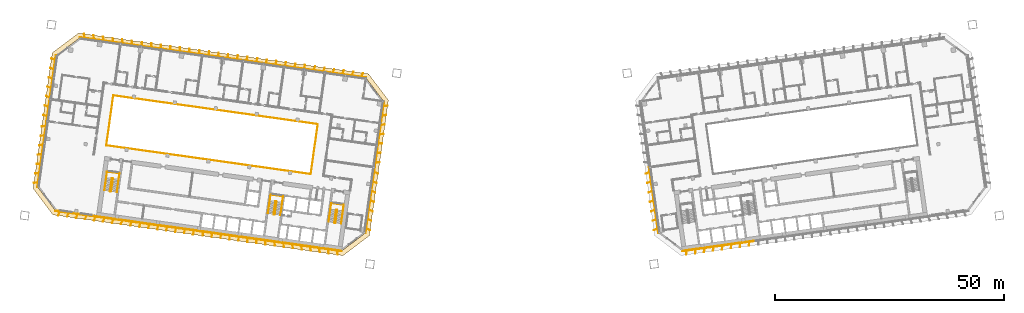
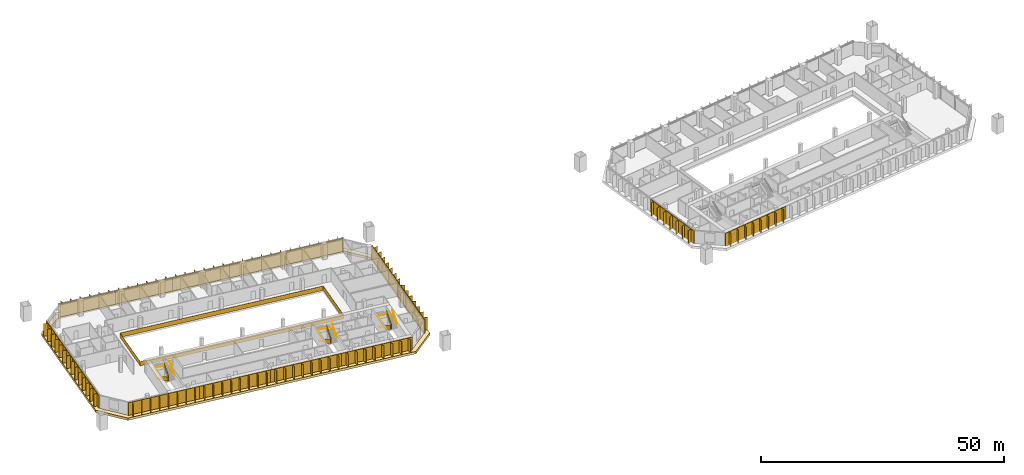
# One storey, part 23 of 24: 15 shading devices, 7 railings, 1 covering.
"""IFC4 building model written with IfcOpenShell, lengths in metres."""

from ifc_helpers import new_model, si_unit, direction, frame, origin, origin_2d, place, context, subcontext, project, spatial, polyline, rectangle, outline, extrude, material, layer, layer_set, type_object, element, save


model = new_model("IFC4")

# Units and contexts
model_context = context("Model", 3, precision=1e-05, world=origin(), true_north=direction((0.0, 1.0)))
body_context = subcontext(model_context, "Body", "Model", "MODEL_VIEW")
ifc_project = project(units=[si_unit("LENGTHUNIT", "METRE"), si_unit("AREAUNIT", "SQUARE_METRE"), si_unit("VOLUMEUNIT", "CUBIC_METRE"), si_unit("PLANEANGLEUNIT", "RADIAN"), si_unit("MASSUNIT", "GRAM", prefix="KILO")], contexts=[model_context])

# Site, building, storey
site_placement = place(None, origin())
site = spatial("IfcSite", under=ifc_project, at=site_placement, CompositionType="ELEMENT")
building_placement = place(site_placement, origin())
building = spatial("IfcBuilding", under=site, at=building_placement, Name="Mirante Cascada Hotel Towers", CompositionType="ELEMENT")
storey_placement = place(building_placement, frame((0.0, 0.0, 88.9)))
storey = spatial("IfcBuildingStorey", under=building, at=storey_placement, Name="L19", CompositionType="ELEMENT", Elevation=88.9)

# Railing
ifc_material_1 = material(Name="Toughened glass with stainless steel handrail", Category="steel")
railing_type_1 = type_object("IfcRailingType", Name="Atrium guard 1100 glass balustrade", PredefinedType="GUARDRAIL", material=ifc_material_1)
railing_1_placement = place(storey_placement, frame((-43.8418, -3.4881, 0.0)))
element("IfcRailing", 1, at=railing_1_placement, inside=storey, type_object=railing_type_1, Name="GUARD 1-L19-1", PredefinedType="GUARDRAIL", context=body_context, shape_type="SweptSolid", body=[
    extrude(rectangle(XDim=0.048, YDim=0.048, at=origin_2d()), frame((0.0, 0.0, 1.076), z_axis=(-0.9902681, 0.1391732, 0.0), x_axis=(-0.1391732, -0.9902681, 0.0)), (0.0, 0.0, 1.0), 45.0),
    extrude(rectangle(XDim=0.02, YDim=1.052, at=origin_2d()), frame((0.0, 0.0, 0.526), z_axis=(-0.9902681, 0.1391732, 0.0), x_axis=(-0.1391732, -0.9902681, 0.0)), (0.0, 0.0, 1.0), 45.0),
    extrude(rectangle(XDim=0.048, YDim=0.048, at=origin_2d()), frame((-44.5621, 6.2628, 1.076), z_axis=(0.1391721, 0.9902682, 0.0), x_axis=(-0.9902682, 0.1391721, 0.0)), (0.0, 0.0, 1.0), 11.0001),
    extrude(rectangle(XDim=0.02, YDim=1.052, at=origin_2d()), frame((-44.5621, 6.2628, 0.526), z_axis=(0.1391721, 0.9902682, 0.0), x_axis=(-0.9902682, 0.1391721, 0.0)), (0.0, 0.0, 1.0), 11.0001),
    extrude(rectangle(XDim=0.048, YDim=0.048, at=origin_2d()), frame((-43.0312, 17.1558, 1.076), z_axis=(0.9902681, -0.1391732, 0.0), x_axis=(0.1391732, 0.9902681, 0.0)), (0.0, 0.0, 1.0), 45.0),
    extrude(rectangle(XDim=0.02, YDim=1.052, at=origin_2d()), frame((-43.0312, 17.1558, 0.526), z_axis=(0.9902681, -0.1391732, 0.0), x_axis=(0.1391732, 0.9902681, 0.0)), (0.0, 0.0, 1.0), 45.0),
    extrude(rectangle(XDim=0.048, YDim=0.048, at=origin_2d()), frame((1.5309, 10.893, 1.076), z_axis=(-0.1391721, -0.9902682, 0.0), x_axis=(0.9902682, -0.1391721, 0.0)), (0.0, 0.0, 1.0), 11.0001),
    extrude(rectangle(XDim=0.02, YDim=1.052, at=origin_2d()), frame((1.5309, 10.893, 0.526), z_axis=(-0.1391721, -0.9902682, 0.0), x_axis=(0.9902682, -0.1391721, 0.0)), (0.0, 0.0, 1.0), 11.0001),
])

# Covering
ifc_material_2 = material(Name="Precast concrete C40/50 white", Category="concrete")
ifc_layer = layer(ifc_material_2, 0.6)
ifc_layer_set = layer_set([ifc_layer], Name="Precast concrete SUNSHADE band 1000x600")
covering_type = type_object("IfcCoveringType", Name="Precast concrete SUNSHADE band 1000x600", PredefinedType="CLADDING", material=ifc_layer_set)
covering_placement = place(storey_placement, frame((0.0, 0.0, -0.45)))
element("IfcCovering", 2, at=covering_placement, inside=storey, type_object=covering_type, Name="Precast concrete SUNSHADE band T1 L19", PredefinedType="CLADDING", context=body_context, shape_type="SweptSolid", body=[
    extrude(outline(polyline([(-104.3652, -6.6094), (-100.2139, 22.9287), (-94.4698, 27.2572), (-31.2626, 18.374), (-26.9341, 12.6299), (-31.0854, -16.9082), (-36.8295, -21.2367), (-100.0367, -12.3535), (-104.3652, -6.6094)]), holes=[polyline([(-27.982, 12.3589), (-31.8119, 17.4414), (-94.1988, 26.2093), (-99.2813, 22.3794), (-103.3173, -6.3384), (-99.4874, -11.4209), (-37.1005, -20.1888), (-32.018, -16.3589), (-27.982, 12.3589)])]), origin(), (0.0, 0.0, 1.0), 0.6),
])

# Railings
ifc_material_3 = material(Name="Painted steel", Category="steel")
railing_type_2 = type_object("IfcRailingType", Name="Stair guard 1100 steel balustrade", PredefinedType="GUARDRAIL", material=ifc_material_3)
railing_2_placement = place(storey_placement, frame((-38.1178, -11.2603, 0.0)))
element("IfcRailing", 3, at=railing_2_placement, inside=storey, type_object=railing_type_2, Name="L19 ST1-A stair guard 1", PredefinedType="GUARDRAIL", context=body_context, shape_type="SweptSolid", body=[
    extrude(rectangle(XDim=0.048, YDim=0.048, at=origin_2d()), frame((0.0, 0.0, 1.076), z_axis=(-0.9903326, 0.1387133, 0.0), x_axis=(-0.1387133, -0.9903326, 0.0)), (0.0, 0.0, 1.0), 0.1499),
    extrude(rectangle(XDim=0.02, YDim=1.052, at=origin_2d()), frame((0.0, 0.0, 0.526), z_axis=(-0.9903326, 0.1387133, 0.0), x_axis=(-0.1387133, -0.9903326, 0.0)), (0.0, 0.0, 1.0), 0.1499),
    extrude(rectangle(XDim=0.048, YDim=0.048, at=origin_2d()), frame((-0.1485, 0.0208, 1.076), z_axis=(-0.7991505, -0.6011309, 0.0), x_axis=(0.6011309, -0.7991505, 0.0)), (0.0, 0.9254529, 0.3788627), 0.1866),
    extrude(rectangle(XDim=0.02, YDim=1.052, at=origin_2d()), frame((-0.1485, 0.0208, 0.526), z_axis=(-0.7991505, -0.6011309, 0.0), x_axis=(0.6011309, -0.7991505, 0.0)), (0.0, 0.9254529, 0.3788627), 0.1866),
    extrude(rectangle(XDim=0.048, YDim=0.048, at=origin_2d()), frame((-0.205, -0.0217, 1.2487), z_axis=(-0.139176, -0.9902677, 0.0), x_axis=(0.9902677, -0.139176, 0.0)), (0.0, 0.5250212, 0.8510891), 3.29),
    extrude(rectangle(XDim=0.02, YDim=1.052, at=origin_2d()), frame((-0.205, -0.0217, 0.6987), z_axis=(-0.139176, -0.9902677, 0.0), x_axis=(0.9902677, -0.139176, 0.0)), (0.0, 0.5250212, 0.8510891), 3.29),
    extrude(rectangle(XDim=0.048, YDim=0.048, at=origin_2d()), frame((-0.5947, -2.7945, 2.976), z_axis=(0.9270311, -0.3749843, 0.0), x_axis=(0.3749843, 0.9270311, 0.0)), (0.0, 0.0, 1.0), 0.2061),
    extrude(rectangle(XDim=0.02, YDim=1.052, at=origin_2d()), frame((-0.5947, -2.7945, 2.426), z_axis=(0.9270311, -0.3749843, 0.0), x_axis=(0.3749843, 0.9270311, 0.0)), (0.0, 0.0, 1.0), 0.2061),
    extrude(rectangle(XDim=0.048, YDim=0.048, at=origin_2d()), frame((-0.4036, -2.8718, 2.976), z_axis=(-0.9902408, 0.1393672, 0.0), x_axis=(-0.1393672, -0.9902408, 0.0)), (0.0, 0.0, 1.0), 0.15),
    extrude(rectangle(XDim=0.02, YDim=1.052, at=origin_2d()), frame((-0.4036, -2.8718, 2.426), z_axis=(-0.9902408, 0.1393672, 0.0), x_axis=(-0.1393672, -0.9902408, 0.0)), (0.0, 0.0, 1.0), 0.15),
    extrude(rectangle(XDim=0.048, YDim=0.048, at=origin_2d()), frame((-0.5521, -2.8509, 2.976), z_axis=(0.9944948, 0.1047858, 0.0), x_axis=(-0.1047858, 0.9944948, 0.0)), (0.0, 0.6422034, 0.7665343), 0.2689),
    extrude(rectangle(XDim=0.02, YDim=1.052, at=origin_2d()), frame((-0.5521, -2.8509, 2.426), z_axis=(0.9944948, 0.1047858, 0.0), x_axis=(-0.1047858, 0.9944948, 0.0)), (0.0, 0.6422034, 0.7665343), 0.2689),
    extrude(rectangle(XDim=0.048, YDim=0.048, at=origin_2d()), frame((-0.3471, -2.8293, 3.1487), z_axis=(0.139176, 0.9902677, 0.0), x_axis=(-0.9902677, 0.139176, 0.0)), (0.0, 0.5250212, 0.8510891), 3.29),
    extrude(rectangle(XDim=0.02, YDim=1.052, at=origin_2d()), frame((-0.3471, -2.8293, 2.5987), z_axis=(0.139176, 0.9902677, 0.0), x_axis=(-0.9902677, 0.139176, 0.0)), (0.0, 0.5250212, 0.8510891), 3.29),
])
railing_3_placement = place(storey_placement, frame((-51.3379, -9.4024, 0.0)))
element("IfcRailing", 4, at=railing_3_placement, inside=storey, type_object=railing_type_2, Name="L19 ST1-B stair guard 1", PredefinedType="GUARDRAIL", context=body_context, shape_type="SweptSolid", body=[
    extrude(rectangle(XDim=0.048, YDim=0.048, at=origin_2d()), frame((0.0, 0.0, 1.076), z_axis=(-0.9902408, 0.1393672, 0.0), x_axis=(-0.1393672, -0.9902408, 0.0)), (0.0, 0.0, 1.0), 0.15),
    extrude(rectangle(XDim=0.02, YDim=1.052, at=origin_2d()), frame((0.0, 0.0, 0.526), z_axis=(-0.9902408, 0.1393672, 0.0), x_axis=(-0.1393672, -0.9902408, 0.0)), (0.0, 0.0, 1.0), 0.15),
    extrude(rectangle(XDim=0.048, YDim=0.048, at=origin_2d()), frame((-0.1485, 0.0209, 1.076), z_axis=(-0.7984711, -0.6020331, 0.0), x_axis=(0.6020331, -0.7984711, 0.0)), (0.0, 0.9253398, 0.3791387), 0.1866),
    extrude(rectangle(XDim=0.02, YDim=1.052, at=origin_2d()), frame((-0.1485, 0.0209, 0.526), z_axis=(-0.7984711, -0.6020331, 0.0), x_axis=(0.6020331, -0.7984711, 0.0)), (0.0, 0.9253398, 0.3791387), 0.1866),
    extrude(rectangle(XDim=0.048, YDim=0.048, at=origin_2d()), frame((-0.205, -0.0217, 1.2487), z_axis=(-0.139181, -0.990267, 0.0), x_axis=(0.990267, -0.139181, 0.0)), (0.0, 0.5250347, 0.8510808), 3.2899),
    extrude(rectangle(XDim=0.02, YDim=1.052, at=origin_2d()), frame((-0.205, -0.0217, 0.6987), z_axis=(-0.139181, -0.990267, 0.0), x_axis=(0.990267, -0.139181, 0.0)), (0.0, 0.5250347, 0.8510808), 3.2899),
    extrude(rectangle(XDim=0.048, YDim=0.048, at=origin_2d()), frame((-0.5947, -2.7944, 2.976), z_axis=(0.9268624, -0.3754011, 0.0), x_axis=(0.3754011, 0.9268624, 0.0)), (0.0, 0.0, 1.0), 0.2062),
    extrude(rectangle(XDim=0.02, YDim=1.052, at=origin_2d()), frame((-0.5947, -2.7944, 2.426), z_axis=(0.9268624, -0.3754011, 0.0), x_axis=(0.3754011, 0.9268624, 0.0)), (0.0, 0.0, 1.0), 0.2062),
    extrude(rectangle(XDim=0.048, YDim=0.048, at=origin_2d()), frame((-0.4036, -2.8718, 2.976), z_axis=(-0.9902408, 0.1393672, 0.0), x_axis=(-0.1393672, -0.9902408, 0.0)), (0.0, 0.0, 1.0), 0.15),
    extrude(rectangle(XDim=0.02, YDim=1.052, at=origin_2d()), frame((-0.4036, -2.8718, 2.426), z_axis=(-0.9902408, 0.1393672, 0.0), x_axis=(-0.1393672, -0.9902408, 0.0)), (0.0, 0.0, 1.0), 0.15),
    extrude(rectangle(XDim=0.048, YDim=0.048, at=origin_2d()), frame((-0.5521, -2.8509, 2.976), z_axis=(0.9944441, 0.1052656, 0.0), x_axis=(-0.1052656, 0.9944441, 0.0)), (0.0, 0.6421842, 0.7665504), 0.2689),
    extrude(rectangle(XDim=0.02, YDim=1.052, at=origin_2d()), frame((-0.5521, -2.8509, 2.426), z_axis=(0.9944441, 0.1052656, 0.0), x_axis=(-0.1052656, 0.9944441, 0.0)), (0.0, 0.6421842, 0.7665504), 0.2689),
    extrude(rectangle(XDim=0.048, YDim=0.048, at=origin_2d()), frame((-0.3471, -2.8292, 3.1487), z_axis=(0.139181, 0.990267, 0.0), x_axis=(-0.990267, 0.139181, 0.0)), (0.0, 0.5250347, 0.8510808), 3.2899),
    extrude(rectangle(XDim=0.02, YDim=1.052, at=origin_2d()), frame((-0.3471, -2.8292, 2.5987), z_axis=(0.139181, 0.990267, 0.0), x_axis=(-0.990267, 0.139181, 0.0)), (0.0, 0.5250347, 0.8510808), 3.2899),
])
railing_4_placement = place(storey_placement, frame((-86.9875, -4.3922, 0.0)))
element("IfcRailing", 5, at=railing_4_placement, inside=storey, type_object=railing_type_2, Name="L19 ST1-C stair guard 1", PredefinedType="GUARDRAIL", context=body_context, shape_type="SweptSolid", body=[
    extrude(rectangle(XDim=0.048, YDim=0.048, at=origin_2d()), frame((0.0, 0.0, 1.076), z_axis=(-0.9902537, 0.1392753, 0.0), x_axis=(-0.1392753, -0.9902537, 0.0)), (0.0, 0.0, 1.0), 0.1501),
    extrude(rectangle(XDim=0.02, YDim=1.052, at=origin_2d()), frame((0.0, 0.0, 0.526), z_axis=(-0.9902537, 0.1392753, 0.0), x_axis=(-0.1392753, -0.9902537, 0.0)), (0.0, 0.0, 1.0), 0.1501),
    extrude(rectangle(XDim=0.048, YDim=0.048, at=origin_2d()), frame((-0.1486, 0.0209, 1.076), z_axis=(-0.7986386, -0.601811, 0.0), x_axis=(0.601811, -0.7986386, 0.0)), (0.0, 0.925603, 0.3784959), 0.1866),
    extrude(rectangle(XDim=0.02, YDim=1.052, at=origin_2d()), frame((-0.1486, 0.0209, 0.526), z_axis=(-0.7986386, -0.601811, 0.0), x_axis=(0.601811, -0.7986386, 0.0)), (0.0, 0.925603, 0.3784959), 0.1866),
    extrude(rectangle(XDim=0.048, YDim=0.048, at=origin_2d()), frame((-0.205, -0.0216, 1.2487), z_axis=(-0.139176, -0.9902677, 0.0), x_axis=(0.9902677, -0.139176, 0.0)), (0.0, 0.5250212, 0.8510891), 3.29),
    extrude(rectangle(XDim=0.02, YDim=1.052, at=origin_2d()), frame((-0.205, -0.0216, 0.6987), z_axis=(-0.139176, -0.9902677, 0.0), x_axis=(0.9902677, -0.139176, 0.0)), (0.0, 0.5250212, 0.8510891), 3.29),
    extrude(rectangle(XDim=0.048, YDim=0.048, at=origin_2d()), frame((-0.5947, -2.7944, 2.976), z_axis=(0.9270311, -0.3749843, 0.0), x_axis=(0.3749843, 0.9270311, 0.0)), (0.0, 0.0, 1.0), 0.2061),
    extrude(rectangle(XDim=0.02, YDim=1.052, at=origin_2d()), frame((-0.5947, -2.7944, 2.426), z_axis=(0.9270311, -0.3749843, 0.0), x_axis=(0.3749843, 0.9270311, 0.0)), (0.0, 0.0, 1.0), 0.2061),
    extrude(rectangle(XDim=0.048, YDim=0.048, at=origin_2d()), frame((-0.4036, -2.8717, 2.976), z_axis=(-0.9903454, 0.1386217, 0.0), x_axis=(-0.1386217, -0.9903454, 0.0)), (0.0, 0.0, 1.0), 0.15),
    extrude(rectangle(XDim=0.02, YDim=1.052, at=origin_2d()), frame((-0.4036, -2.8717, 2.426), z_axis=(-0.9903454, 0.1386217, 0.0), x_axis=(-0.1386217, -0.9903454, 0.0)), (0.0, 0.0, 1.0), 0.15),
    extrude(rectangle(XDim=0.048, YDim=0.048, at=origin_2d()), frame((-0.5522, -2.8509, 2.976), z_axis=(0.9944441, 0.1052656, 0.0), x_axis=(-0.1052656, 0.9944441, 0.0)), (0.0, 0.6421842, 0.7665504), 0.2689),
    extrude(rectangle(XDim=0.02, YDim=1.052, at=origin_2d()), frame((-0.5522, -2.8509, 2.426), z_axis=(0.9944441, 0.1052656, 0.0), x_axis=(-0.1052656, 0.9944441, 0.0)), (0.0, 0.6421842, 0.7665504), 0.2689),
    extrude(rectangle(XDim=0.048, YDim=0.048, at=origin_2d()), frame((-0.3472, -2.8292, 3.1487), z_axis=(0.139176, 0.9902677, 0.0), x_axis=(-0.9902677, 0.139176, 0.0)), (0.0, 0.5250212, 0.8510891), 3.29),
    extrude(rectangle(XDim=0.02, YDim=1.052, at=origin_2d()), frame((-0.3472, -2.8292, 2.5987), z_axis=(0.139176, 0.9902677, 0.0), x_axis=(-0.9902677, 0.139176, 0.0)), (0.0, 0.5250212, 0.8510891), 3.29),
])
ifc_material_4 = material(Name="Painted steel", Category="steel")
railing_type_3 = type_object("IfcRailingType", Name="Stair handrail 900 steel tube", PredefinedType="HANDRAIL", material=ifc_material_4)
railing_5_placement = place(storey_placement, frame((-39.5606, -11.1081, 0.1727)))
element("IfcRailing", 6, at=railing_5_placement, inside=storey, type_object=railing_type_3, Name="L19 ST1-A stair handrail 1", PredefinedType="HANDRAIL", context=body_context, shape_type="SweptSolid", body=[
    extrude(rectangle(XDim=0.048, YDim=0.048, at=origin_2d()), frame((0.0, 0.0, 0.876), z_axis=(-0.139181, -0.990267, 0.0), x_axis=(0.990267, -0.139181, 0.0)), (0.0, 0.5250347, 0.8510808), 3.2899),
    extrude(rectangle(XDim=0.048, YDim=0.048, at=origin_2d()), frame((-0.3897, -2.7727, 2.6033), z_axis=(0.1391707, 0.9902684, 0.0), x_axis=(-0.9902684, 0.1391707, 0.0)), (0.0, 0.0420846, 0.999114), 4.1036),
    extrude(rectangle(XDim=0.048, YDim=0.048, at=origin_2d()), frame((0.1809, 1.2874, 2.776), z_axis=(0.9902691, -0.1391657, 0.0), x_axis=(0.1391657, 0.9902691, 0.0)), (0.0, 0.0, 1.0), 2.75),
    extrude(rectangle(XDim=0.048, YDim=0.048, at=origin_2d()), frame((2.9041, 0.9047, 2.776), z_axis=(-0.1391707, -0.9902684, 0.0), x_axis=(0.9902684, -0.1391707, 0.0)), (0.0, 0.0, 1.0), 4.1),
    extrude(rectangle(XDim=0.048, YDim=0.048, at=origin_2d()), frame((2.3335, -3.1554, 2.776), z_axis=(0.139181, 0.990267, 0.0), x_axis=(-0.990267, 0.139181, 0.0)), (0.0, 0.5250347, 0.8510808), 3.2899),
])
railing_6_placement = place(storey_placement, frame((-52.7807, -9.2501, 0.1727)))
element("IfcRailing", 7, at=railing_6_placement, inside=storey, type_object=railing_type_3, Name="L19 ST1-B stair handrail 1", PredefinedType="HANDRAIL", context=body_context, shape_type="SweptSolid", body=[
    extrude(rectangle(XDim=0.048, YDim=0.048, at=origin_2d()), frame((0.0, 0.0, 0.876), z_axis=(-0.139181, -0.990267, 0.0), x_axis=(0.990267, -0.139181, 0.0)), (0.0, 0.5250347, 0.8510808), 3.2899),
    extrude(rectangle(XDim=0.048, YDim=0.048, at=origin_2d()), frame((-0.3897, -2.7727, 2.6033), z_axis=(0.1391707, 0.9902684, 0.0), x_axis=(-0.9902684, 0.1391707, 0.0)), (0.0, 0.0420846, 0.999114), 4.1036),
    extrude(rectangle(XDim=0.048, YDim=0.048, at=origin_2d()), frame((0.1809, 1.2874, 2.776), z_axis=(0.9902641, -0.1392013, 0.0), x_axis=(0.1392013, 0.9902641, 0.0)), (0.0, 0.0, 1.0), 2.75),
    extrude(rectangle(XDim=0.048, YDim=0.048, at=origin_2d()), frame((2.9041, 0.9046, 2.776), z_axis=(-0.1391707, -0.9902684, 0.0), x_axis=(0.9902684, -0.1391707, 0.0)), (0.0, 0.0, 1.0), 4.1),
    extrude(rectangle(XDim=0.048, YDim=0.048, at=origin_2d()), frame((2.3335, -3.1555, 2.776), z_axis=(0.139176, 0.9902677, 0.0), x_axis=(-0.9902677, 0.139176, 0.0)), (0.0, 0.5250212, 0.8510891), 3.29),
])
railing_7_placement = place(storey_placement, frame((-88.4304, -4.2399, 0.1727)))
element("IfcRailing", 8, at=railing_7_placement, inside=storey, type_object=railing_type_3, Name="L19 ST1-C stair handrail 1", PredefinedType="HANDRAIL", context=body_context, shape_type="SweptSolid", body=[
    extrude(rectangle(XDim=0.048, YDim=0.048, at=origin_2d()), frame((0.0, 0.0, 0.876), z_axis=(-0.139181, -0.990267, 0.0), x_axis=(0.990267, -0.139181, 0.0)), (0.0, 0.5250347, 0.8510808), 3.2899),
    extrude(rectangle(XDim=0.048, YDim=0.048, at=origin_2d()), frame((-0.3897, -2.7727, 2.6033), z_axis=(0.1391947, 0.990265, 0.0), x_axis=(-0.990265, 0.1391947, 0.0)), (0.0, 0.0420845, 0.9991141), 4.1036),
    extrude(rectangle(XDim=0.048, YDim=0.048, at=origin_2d()), frame((0.181, 1.2874, 2.776), z_axis=(0.9902691, -0.1391657, 0.0), x_axis=(0.1391657, 0.9902691, 0.0)), (0.0, 0.0, 1.0), 2.75),
    extrude(rectangle(XDim=0.048, YDim=0.048, at=origin_2d()), frame((2.9042, 0.9047, 2.776), z_axis=(-0.1391707, -0.9902684, 0.0), x_axis=(0.9902684, -0.1391707, 0.0)), (0.0, 0.0, 1.0), 4.1),
    extrude(rectangle(XDim=0.048, YDim=0.048, at=origin_2d()), frame((2.3336, -3.1554, 2.776), z_axis=(0.139181, 0.990267, 0.0), x_axis=(-0.990267, 0.139181, 0.0)), (0.0, 0.5250347, 0.8510808), 3.2899),
])

# Shading devices
ifc_material_5 = material(Name="White precast concrete C50/60 fin", Category="concrete")
shading_device_type = type_object("IfcShadingDeviceType", Name="Vertical fin set 4500x900", PredefinedType="USERDEFINED", material=ifc_material_5)
shading_device_1_placement = place(storey_placement, origin())
element("IfcShadingDevice", 9, at=shading_device_1_placement, inside=storey, type_object=shading_device_type, Name="FIN T1 L19 front 1", ObjectType="FIN", PredefinedType="USERDEFINED", context=body_context, shape_type="SweptSolid", body=[
    extrude(outline(polyline([(-82.8173, 25.599), (-82.7126, 24.7465), (-81.7006, 24.6042), (-81.7214, 24.4557), (-94.1988, 26.2093), (-94.1779, 26.3578), (-93.1924, 26.2193), (-93.2945, 27.0506), (-93.2151, 27.0603), (-93.1104, 26.2078), (-91.1129, 25.9271), (-91.2149, 26.7583), (-91.1355, 26.7681), (-91.0308, 25.9155), (-89.0333, 25.6348), (-89.1354, 26.4661), (-89.056, 26.4758), (-88.9513, 25.6233), (-86.9537, 25.3425), (-87.0558, 26.1738), (-86.9764, 26.1835), (-86.8717, 25.331), (-84.8742, 25.0503), (-84.9762, 25.8815), (-84.8968, 25.8913), (-84.7922, 25.0387), (-82.7946, 24.758), (-82.8967, 25.5893), (-82.8173, 25.599)])), origin(), (0.0, 0.0, 1.0), 3.3),
])
shading_device_2_placement = place(storey_placement, origin())
element("IfcShadingDevice", 10, at=shading_device_2_placement, inside=storey, type_object=shading_device_type, Name="FIN T1 L19 front 2", ObjectType="FIN", PredefinedType="USERDEFINED", context=body_context, shape_type="SweptSolid", body=[
    extrude(outline(polyline([(-70.2221, 23.8469), (-70.2295, 22.9921), (-69.2232, 22.8507), (-69.2441, 22.7021), (-81.7214, 24.4557), (-81.7006, 24.6042), (-80.7072, 24.4646), (-80.6999, 25.3089), (-80.6199, 25.3082), (-80.6273, 24.4534), (-78.6277, 24.1724), (-78.6203, 25.0166), (-78.5403, 25.0159), (-78.5478, 24.1611), (-76.5481, 23.8801), (-76.5407, 24.7244), (-76.4608, 24.7237), (-76.4682, 23.8689), (-74.4686, 23.5878), (-74.4612, 24.4321), (-74.3812, 24.4314), (-74.3886, 23.5766), (-72.389, 23.2956), (-72.3816, 24.1399), (-72.3016, 24.1392), (-72.3091, 23.2844), (-70.3094, 23.0033), (-70.3021, 23.8476), (-70.2221, 23.8469)])), origin(), (0.0, 0.0, 1.0), 3.3),
])
shading_device_3_placement = place(storey_placement, origin())
element("IfcShadingDevice", 11, at=shading_device_3_placement, inside=storey, type_object=shading_device_type, Name="FIN T1 L19 front 3", ObjectType="FIN", PredefinedType="USERDEFINED", context=body_context, shape_type="SweptSolid", body=[
    extrude(outline(polyline([(-57.6277, 22.0794), (-57.746, 21.2376), (-56.7458, 21.0971), (-56.7667, 20.9485), (-69.2441, 22.7021), (-69.2232, 22.8507), (-68.223, 22.7101), (-68.1047, 23.5518), (-68.0255, 23.5407), (-68.1438, 22.699), (-66.1434, 22.4178), (-66.0251, 23.2596), (-65.9459, 23.2484), (-66.0642, 22.4067), (-64.0639, 22.1256), (-63.9456, 22.9673), (-63.8664, 22.9562), (-63.9847, 22.1144), (-61.9843, 21.8333), (-61.866, 22.675), (-61.7868, 22.6639), (-61.9051, 21.8222), (-59.9048, 21.541), (-59.7865, 22.3828), (-59.7072, 22.3716), (-59.8255, 21.5299), (-57.8252, 21.2488), (-57.7069, 22.0905), (-57.6277, 22.0794)])), origin(), (0.0, 0.0, 1.0), 3.3),
])
shading_device_4_placement = place(storey_placement, origin())
element("IfcShadingDevice", 12, at=shading_device_4_placement, inside=storey, type_object=shading_device_type, Name="FIN T1 L19 front 4", ObjectType="FIN", PredefinedType="USERDEFINED", context=body_context, shape_type="SweptSolid", body=[
    extrude(outline(polyline([(-45.0361, 20.2967), (-45.2617, 19.4831), (-44.2684, 19.3435), (-44.2893, 19.195), (-56.7667, 20.9485), (-56.7458, 21.0971), (-55.7394, 20.9556), (-55.511, 21.7794), (-55.4339, 21.758), (-55.6595, 20.9444), (-53.6599, 20.6634), (-53.4314, 21.4871), (-53.3544, 21.4657), (-53.58, 20.6521), (-51.5803, 20.3711), (-51.3519, 21.1949), (-51.2748, 21.1735), (-51.5004, 20.3599), (-49.5008, 20.0789), (-49.2723, 20.9026), (-49.1952, 20.8812), (-49.4209, 20.0676), (-47.4212, 19.7866), (-47.1928, 20.6103), (-47.1157, 20.589), (-47.3413, 19.7754), (-45.3416, 19.4943), (-45.1132, 20.3181), (-45.0361, 20.2967)])), origin(), (0.0, 0.0, 1.0), 3.3),
])
shading_device_5_placement = place(storey_placement, origin())
element("IfcShadingDevice", 13, at=shading_device_5_placement, inside=storey, type_object=shading_device_type, Name="FIN T1 L19 front 5", ObjectType="FIN", PredefinedType="USERDEFINED", context=body_context, shape_type="SweptSolid", body=[
    extrude(outline(polyline([(-32.4493, 18.4994), (-32.7765, 17.7284), (-31.791, 17.5899), (-31.8119, 17.4414), (-44.2893, 19.195), (-44.2684, 19.3435), (-43.2564, 19.2013), (-42.9208, 19.9919), (-42.8471, 19.9607), (-43.1744, 19.1897), (-41.1768, 18.909), (-40.8412, 19.6997), (-40.7676, 19.6684), (-41.0948, 18.8975), (-39.0973, 18.6167), (-38.7616, 19.4074), (-38.688, 19.3761), (-39.0152, 18.6052), (-37.0177, 18.3245), (-36.6821, 19.1151), (-36.6084, 19.0839), (-36.9357, 18.3129), (-34.9381, 18.0322), (-34.6025, 18.8229), (-34.5289, 18.7916), (-34.8561, 18.0207), (-32.8586, 17.7399), (-32.5229, 18.5306), (-32.4493, 18.4994)])), origin(), (0.0, 0.0, 1.0), 3.3),
])
shading_device_6_placement = place(storey_placement, origin())
element("IfcShadingDevice", 14, at=shading_device_6_placement, inside=storey, type_object=shading_device_type, Name="FIN T1 L19 inner 1", ObjectType="FIN", PredefinedType="USERDEFINED", context=body_context, shape_type="SweptSolid", body=[
    extrude(outline(polyline([(-29.7112, -1.023), (-29.8515, -2.0209), (-30.0, -2.0), (-27.982, 12.3589), (-27.8334, 12.338), (-27.97, 11.3667), (-27.1387, 11.4687), (-27.1289, 11.3893), (-27.9815, 11.2846), (-28.2583, 9.3154), (-27.427, 9.4174), (-27.4172, 9.338), (-28.2698, 9.2334), (-28.5465, 7.2641), (-27.7153, 7.3662), (-27.7055, 7.2868), (-28.5581, 7.1821), (-28.8348, 5.2128), (-28.0036, 5.3149), (-27.9938, 5.2355), (-28.8464, 5.1308), (-29.1231, 3.1616), (-28.2918, 3.2636), (-28.2821, 3.1842), (-29.1346, 3.0796), (-29.4114, 1.1103), (-28.5801, 1.2124), (-28.5704, 1.133), (-29.4229, 1.0283), (-29.6997, -0.941), (-28.8684, -0.8389), (-28.8587, -0.9183), (-29.7112, -1.023)])), origin(), (0.0, 0.0, 1.0), 3.3),
])
shading_device_7_placement = place(storey_placement, origin())
element("IfcShadingDevice", 15, at=shading_device_7_placement, inside=storey, type_object=shading_device_type, Name="FIN T1 L19 inner 2", ObjectType="FIN", PredefinedType="USERDEFINED", context=body_context, shape_type="SweptSolid", body=[
    extrude(outline(polyline([(-31.733, -15.4084), (-31.8695, -16.3798), (-32.018, -16.3589), (-30.0, -2.0), (-29.8515, -2.0209), (-29.9917, -3.0188), (-29.201, -3.3544), (-29.2323, -3.428), (-30.0032, -3.1008), (-30.28, -5.07), (-29.4893, -5.4057), (-29.5206, -5.4793), (-30.2915, -5.1521), (-30.5683, -7.1213), (-29.7776, -7.4569), (-29.8089, -7.5306), (-30.5798, -7.2033), (-30.8566, -9.1726), (-30.0659, -9.5082), (-30.0972, -9.5818), (-30.8681, -9.2546), (-31.1449, -11.2238), (-30.3542, -11.5595), (-30.3854, -11.6331), (-31.1564, -11.3059), (-31.4331, -13.2751), (-30.6425, -13.6107), (-30.6737, -13.6844), (-31.4447, -13.3571), (-31.7214, -15.3264), (-30.9308, -15.662), (-30.962, -15.7356), (-31.733, -15.4084)])), origin(), (0.0, 0.0, 1.0), 3.3),
])
shading_device_8_placement = place(storey_placement, origin())
element("IfcShadingDevice", 16, at=shading_device_8_placement, inside=storey, type_object=shading_device_type, Name="FIN T1 L19 outer 1", ObjectType="FIN", PredefinedType="USERDEFINED", context=body_context, shape_type="SweptSolid", body=[
    extrude(outline(polyline([(-103.3178, -5.2642), (-103.041, -3.2949), (-103.8723, -3.397), (-103.8821, -3.3176), (-103.0295, -3.2129), (-102.7528, -1.2436), (-103.584, -1.3457), (-103.5938, -1.2663), (-102.7412, -1.1616), (-102.4645, 0.8076), (-103.2957, 0.7056), (-103.3055, 0.785), (-102.4529, 0.8896), (-102.1762, 2.8589), (-103.0075, 2.7568), (-103.0172, 2.8362), (-102.1647, 2.9409), (-101.8879, 4.9102), (-102.7192, 4.8081), (-102.7289, 4.8875), (-101.8764, 4.9922), (-101.5996, 6.9614), (-102.4309, 6.8594), (-102.4406, 6.9388), (-101.5881, 7.0434), (-101.4478, 8.0413), (-101.2993, 8.0205), (-103.3173, -6.3384), (-103.4659, -6.3175), (-103.3293, -5.3462), (-104.1606, -5.4483), (-104.1704, -5.3689), (-103.3178, -5.2642)])), origin(), (0.0, 0.0, 1.0), 3.3),
])
shading_device_9_placement = place(storey_placement, origin())
element("IfcShadingDevice", 17, at=shading_device_9_placement, inside=storey, type_object=shading_device_type, Name="FIN T1 L19 outer 2", ObjectType="FIN", PredefinedType="USERDEFINED", context=body_context, shape_type="SweptSolid", body=[
    extrude(outline(polyline([(-101.2961, 9.1212), (-101.0193, 11.0905), (-101.81, 11.4261), (-101.7787, 11.4998), (-101.0078, 11.1725), (-100.731, 13.1418), (-101.5217, 13.4774), (-101.4904, 13.551), (-100.7195, 13.2238), (-100.4427, 15.193), (-101.2334, 15.5287), (-101.2021, 15.6023), (-100.4312, 15.2751), (-100.1544, 17.2443), (-100.9451, 17.5799), (-100.9139, 17.6536), (-100.1429, 17.3263), (-99.8662, 19.2956), (-100.6568, 19.6312), (-100.6256, 19.7048), (-99.8546, 19.3776), (-99.5779, 21.3469), (-100.3685, 21.6825), (-100.3373, 21.7561), (-99.5663, 21.4289), (-99.4298, 22.4002), (-99.2813, 22.3794), (-101.2993, 8.0205), (-101.4478, 8.0413), (-101.3076, 9.0392), (-102.0983, 9.3749), (-102.067, 9.4485), (-101.2961, 9.1212)])), origin(), (0.0, 0.0, 1.0), 3.3),
])
shading_device_10_placement = place(storey_placement, origin())
element("IfcShadingDevice", 18, at=shading_device_10_placement, inside=storey, type_object=shading_device_type, Name="FIN T1 L19 rear 1", ObjectType="FIN", PredefinedType="USERDEFINED", context=body_context, shape_type="SweptSolid", body=[
    extrude(outline(polyline([(-38.1239, -20.1965), (-39.9915, -19.934), (-39.8894, -20.7653), (-39.9688, -20.775), (-40.0735, -19.9225), (-41.9411, -19.66), (-41.839, -20.4913), (-41.9184, -20.501), (-42.0231, -19.6485), (-43.8907, -19.386), (-43.7886, -20.2173), (-43.868, -20.227), (-43.9727, -19.3745), (-45.8403, -19.112), (-45.7382, -19.9433), (-45.8176, -19.953), (-45.9223, -19.1005), (-47.7898, -18.838), (-47.6878, -19.6693), (-47.7672, -19.679), (-47.8719, -18.8265), (-49.7394, -18.564), (-49.6374, -19.3953), (-49.7168, -19.405), (-49.8214, -18.5525), (-51.689, -18.29), (-51.587, -19.1213), (-51.6664, -19.131), (-51.771, -18.2785), (-52.7181, -18.1454), (-52.6972, -17.9968), (-37.1005, -20.1888), (-37.1214, -20.3374), (-38.0419, -20.208), (-37.9398, -21.0393), (-38.0192, -21.049), (-38.1239, -20.1965)])), origin(), (0.0, 0.0, 1.0), 3.3),
])
shading_device_11_placement = place(storey_placement, origin())
element("IfcShadingDevice", 19, at=shading_device_11_placement, inside=storey, type_object=shading_device_type, Name="FIN T1 L19 rear 2", ObjectType="FIN", PredefinedType="USERDEFINED", context=body_context, shape_type="SweptSolid", body=[
    extrude(outline(polyline([(-53.7283, -18.0034), (-55.5984, -17.7406), (-55.6427, -18.5857), (-55.7226, -18.5815), (-55.6779, -17.7294), (-57.548, -17.4666), (-57.5923, -18.3117), (-57.6722, -18.3075), (-57.6275, -17.4554), (-59.4976, -17.1926), (-59.5419, -18.0377), (-59.6217, -18.0335), (-59.5771, -17.1814), (-61.4472, -16.9186), (-61.4914, -17.7637), (-61.5713, -17.7596), (-61.5267, -16.9074), (-63.3967, -16.6446), (-63.441, -17.4897), (-63.5209, -17.4856), (-63.4763, -16.6334), (-65.3463, -16.3706), (-65.3906, -17.2157), (-65.4705, -17.2116), (-65.4259, -16.3594), (-67.2959, -16.0966), (-67.3402, -16.9417), (-67.4201, -16.9376), (-67.3755, -16.0854), (-68.3148, -15.9534), (-68.2939, -15.8049), (-52.6972, -17.9968), (-52.7181, -18.1454), (-53.6488, -18.0146), (-53.6931, -18.8597), (-53.773, -18.8555), (-53.7283, -18.0034)])), origin(), (0.0, 0.0, 1.0), 3.3),
])
shading_device_12_placement = place(storey_placement, origin())
element("IfcShadingDevice", 20, at=shading_device_12_placement, inside=storey, type_object=shading_device_type, Name="FIN T1 L19 rear 3", ObjectType="FIN", PredefinedType="USERDEFINED", context=body_context, shape_type="SweptSolid", body=[
    extrude(outline(polyline([(-69.3337, -15.8102), (-71.2038, -15.5474), (-71.3957, -16.3788), (-71.4737, -16.3608), (-71.2833, -15.5362), (-73.1534, -15.2734), (-73.3453, -16.1048), (-73.4233, -16.0868), (-73.2329, -15.2622), (-75.103, -14.9994), (-75.2949, -15.8308), (-75.3729, -15.8128), (-75.1825, -14.9882), (-77.0525, -14.7254), (-77.2445, -15.5568), (-77.3224, -15.5388), (-77.1321, -14.7142), (-79.0021, -14.4514), (-79.1941, -15.2828), (-79.272, -15.2648), (-79.0817, -14.4402), (-80.9517, -14.1774), (-81.1437, -15.0088), (-81.2216, -14.9908), (-81.0312, -14.1662), (-82.9013, -13.9034), (-83.0933, -14.7348), (-83.1712, -14.7168), (-82.9808, -13.8922), (-83.9115, -13.7614), (-83.8907, -13.6129), (-68.2939, -15.8049), (-68.3148, -15.9534), (-69.2542, -15.8214), (-69.4461, -16.6528), (-69.5241, -16.6348), (-69.3337, -15.8102)])), origin(), (0.0, 0.0, 1.0), 3.3),
])
shading_device_13_placement = place(storey_placement, origin())
element("IfcShadingDevice", 21, at=shading_device_13_placement, inside=storey, type_object=shading_device_type, Name="FIN T1 L19 rear 4", ObjectType="FIN", PredefinedType="USERDEFINED", context=body_context, shape_type="SweptSolid", body=[
    extrude(outline(polyline([(-84.9406, -13.6168), (-86.8082, -13.3543), (-87.1438, -14.145), (-87.2174, -14.1137), (-86.8902, -13.3428), (-88.7578, -13.0803), (-89.0934, -13.871), (-89.167, -13.8397), (-88.8398, -13.0688), (-90.7074, -12.8063), (-91.043, -13.597), (-91.1166, -13.5657), (-90.7894, -12.7948), (-92.657, -12.5323), (-92.9926, -13.323), (-93.0662, -13.2918), (-92.739, -12.5208), (-94.6065, -12.2583), (-94.9422, -13.049), (-95.0158, -13.0178), (-94.6886, -12.2468), (-96.5561, -11.9843), (-96.8918, -12.775), (-96.9654, -12.7438), (-96.6381, -11.9728), (-98.5057, -11.7103), (-98.8413, -12.501), (-98.915, -12.4698), (-98.5877, -11.6988), (-99.5083, -11.5694), (-99.4874, -11.4209), (-83.8907, -13.6129), (-83.9115, -13.7614), (-84.8586, -13.6283), (-85.1942, -14.419), (-85.2679, -14.3877), (-84.9406, -13.6168)])), origin(), (0.0, 0.0, 1.0), 3.3),
])
shading_device_14_placement = place(storey_placement, origin())
element("IfcShadingDevice", 22, at=shading_device_14_placement, inside=storey, type_object=shading_device_type, Name="FIN T2 L19 inner 2", ObjectType="FIN", PredefinedType="USERDEFINED", context=body_context, shape_type="SweptSolid", body=[
    extrude(outline(polyline([(30.9308, -15.662), (31.7214, -15.3264), (31.4447, -13.3571), (30.6737, -13.6844), (30.6425, -13.6107), (31.4331, -13.2751), (31.1564, -11.3059), (30.3854, -11.6331), (30.3542, -11.5595), (31.1449, -11.2238), (30.8681, -9.2546), (30.0972, -9.5818), (30.0659, -9.5082), (30.8566, -9.1726), (30.5798, -7.2033), (29.8089, -7.5306), (29.7776, -7.4569), (30.5683, -7.1213), (30.2915, -5.1521), (29.5206, -5.4793), (29.4893, -5.4057), (30.28, -5.07), (30.0032, -3.1008), (29.2323, -3.428), (29.201, -3.3544), (29.9917, -3.0188), (29.8515, -2.0209), (30.0, -2.0), (32.018, -16.3589), (31.8695, -16.3798), (31.733, -15.4084), (30.962, -15.7356), (30.9308, -15.662)])), origin(), (0.0, 0.0, 1.0), 3.3),
])
shading_device_15_placement = place(storey_placement, origin())
element("IfcShadingDevice", 23, at=shading_device_15_placement, inside=storey, type_object=shading_device_type, Name="FIN T2 L19 rear 1", ObjectType="FIN", PredefinedType="USERDEFINED", context=body_context, shape_type="SweptSolid", body=[
    extrude(outline(polyline([(37.9398, -21.0393), (38.0419, -20.208), (37.1214, -20.3374), (37.1005, -20.1888), (52.6972, -17.9968), (52.7181, -18.1454), (51.771, -18.2785), (51.6664, -19.131), (51.587, -19.1213), (51.689, -18.29), (49.8214, -18.5525), (49.7168, -19.405), (49.6374, -19.3953), (49.7394, -18.564), (47.8719, -18.8265), (47.7672, -19.679), (47.6878, -19.6693), (47.7898, -18.838), (45.9223, -19.1005), (45.8176, -19.953), (45.7382, -19.9433), (45.8403, -19.112), (43.9727, -19.3745), (43.868, -20.227), (43.7886, -20.2173), (43.8907, -19.386), (42.0231, -19.6485), (41.9184, -20.501), (41.839, -20.4913), (41.9411, -19.66), (40.0735, -19.9225), (39.9688, -20.775), (39.8894, -20.7653), (39.9915, -19.934), (38.1239, -20.1965), (38.0192, -21.049), (37.9398, -21.0393)])), origin(), (0.0, 0.0, 1.0), 3.3),
])

save(model, "model.ifc")
